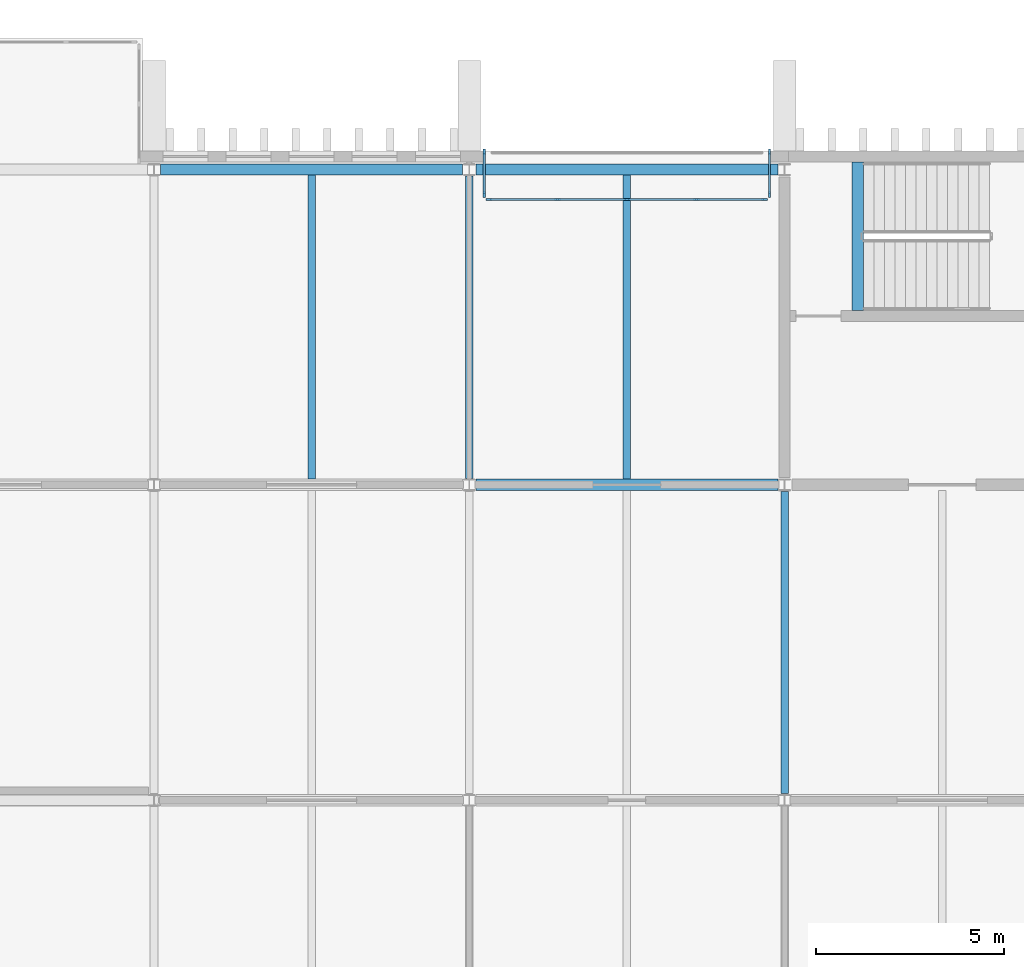
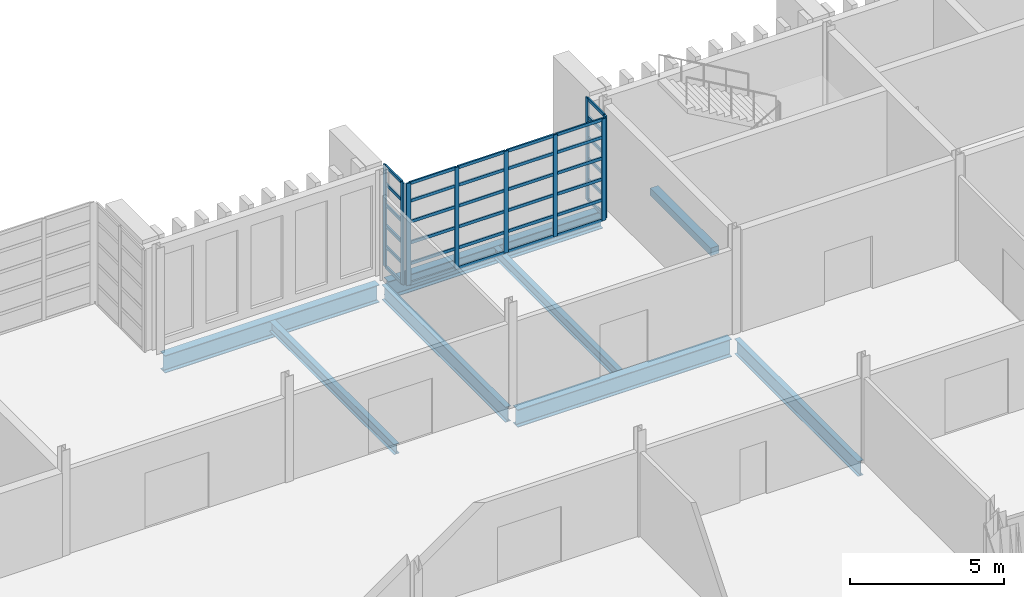
# One storey, part 25 of 100: 45 members, 8 beams, 3 elements without a shape of their own.
"""IFC4 building model written with IfcOpenShell, lengths in metres."""

from ifc_helpers import new_model, si_unit, direction, frame, origin, origin_2d, place, context, subcontext, project, spatial, rectangle, i_section, extrude, material, layer, layer_set, material_profile, profile_set, type_object, element, aggregate, save


model = new_model("IFC4")

# Units and contexts
model_context = context("Model", 3, precision=1e-05, world=origin(), true_north=direction((0.0, 1.0)))
body_context = subcontext(model_context, "Body", "Model", "MODEL_VIEW")
ifc_project = project(units=[si_unit("LENGTHUNIT", "METRE"), si_unit("AREAUNIT", "SQUARE_METRE"), si_unit("VOLUMEUNIT", "CUBIC_METRE"), si_unit("PLANEANGLEUNIT", "RADIAN"), si_unit("MASSUNIT", "GRAM", prefix="KILO")], contexts=[model_context])

# Site, building, storey
site_placement = place(None, origin())
site = spatial("IfcSite", under=ifc_project, at=site_placement, CompositionType="ELEMENT")
building_placement = place(site_placement, origin())
building = spatial("IfcBuilding", under=site, at=building_placement, Name="Cresset Court Congress Hotel", CompositionType="ELEMENT")
storey_placement = place(building_placement, frame((0.0, 0.0, 10.199951171875)))
storey = spatial("IfcBuildingStorey", under=building, at=storey_placement, Name="L02", CompositionType="ELEMENT", Elevation=10.199951171875)

# Curtain wall, members
ifc_material_1 = material(Name="Aluminium frame with double glazing", Category="aluminium")
ifc_layer = layer(ifc_material_1, 0.199951171875)
ifc_layer_set = layer_set([ifc_layer], Name="Glazed box curtain wall 1680 module")
curtain_wall_type = type_object("IfcCurtainWallType", Name="Glazed box curtain wall 1680 module", PredefinedType="NOTDEFINED", material=ifc_layer_set)
curtain_wall_1_placement = place(storey_placement, origin())
curtain_wall_1 = element("IfcCurtainWall", 1, at=curtain_wall_1_placement, inside=storey, type_object=curtain_wall_type, Name="Glazed box N0230 front", PredefinedType="NOTDEFINED")
ifc_material_2 = material(Name="Aluminium", Category="aluminium")
ifc_material_profile_1 = material_profile(ifc_material_2, rectangle(XDim=0.06005859375, YDim=0.159912109375, at=origin_2d()), Name="Box mullion 60x160")
ifc_profile_set_1 = profile_set([ifc_material_profile_1], Name="Aluminium")
member_type_1 = type_object("IfcMemberType", Name="Box mullion 60x160", PredefinedType="MULLION", material=ifc_profile_set_1)
member_1_placement = place(storey_placement, frame((92.929931640625, 24.39990234375, 0.0), z_axis=(0.0, 0.0, 1.0), x_axis=(0.0, 1.0, 0.0)))
member_1 = element("IfcMember", 2, at=member_1_placement, type_object=member_type_1, Name="B-X1 mullion 1", PredefinedType="MULLION", context=body_context, shape_type="SweptSolid", body=[
    extrude(rectangle(XDim=0.06005859375, YDim=0.159912109375, at=origin_2d()), origin(), (0.0, 0.0, 1.0), 4.050048828125),
])
member_2_placement = place(storey_placement, frame((94.75, 24.39990234375, 0.0), z_axis=(0.0, 0.0, 1.0), x_axis=(0.0, 1.0, 0.0)))
member_2 = element("IfcMember", 3, at=member_2_placement, type_object=member_type_1, Name="B-X1 mullion 2", PredefinedType="MULLION", context=body_context, shape_type="SweptSolid", body=[
    extrude(rectangle(XDim=0.06005859375, YDim=0.159912109375, at=origin_2d()), origin(), (0.0, 0.0, 1.0), 4.050048828125),
])
member_3_placement = place(storey_placement, frame((96.60009765625, 24.39990234375, 0.0), z_axis=(0.0, 0.0, 1.0), x_axis=(0.0, 1.0, 0.0)))
member_3 = element("IfcMember", 4, at=member_3_placement, type_object=member_type_1, Name="B-X1 mullion 3", PredefinedType="MULLION", context=body_context, shape_type="SweptSolid", body=[
    extrude(rectangle(XDim=0.06005859375, YDim=0.159912109375, at=origin_2d()), origin(), (0.0, 0.0, 1.0), 4.050048828125),
])
member_4_placement = place(storey_placement, frame((98.449951171875, 24.39990234375, 0.0), z_axis=(0.0, 0.0, 1.0), x_axis=(0.0, 1.0, 0.0)))
member_4 = element("IfcMember", 5, at=member_4_placement, type_object=member_type_1, Name="B-X1 mullion 4", PredefinedType="MULLION", context=body_context, shape_type="SweptSolid", body=[
    extrude(rectangle(XDim=0.06005859375, YDim=0.159912109375, at=origin_2d()), origin(), (0.0, 0.0, 1.0), 4.050048828125),
])
member_5_placement = place(storey_placement, frame((100.27001953125, 24.39990234375, 0.0), z_axis=(0.0, 0.0, 1.0), x_axis=(0.0, 1.0, 0.0)))
member_5 = element("IfcMember", 6, at=member_5_placement, type_object=member_type_1, Name="B-X1 mullion 5", PredefinedType="MULLION", context=body_context, shape_type="SweptSolid", body=[
    extrude(rectangle(XDim=0.06005859375, YDim=0.159912109375, at=origin_2d()), origin(), (0.0, 0.0, 1.0), 4.050048828125),
])

curtain_wall_2_placement = place(storey_placement, origin())
curtain_wall_2 = element("IfcCurtainWall", 7, at=curtain_wall_2_placement, inside=storey, type_object=curtain_wall_type, Name="Glazed box N0230 side", PredefinedType="NOTDEFINED")
member_6_placement = place(storey_placement, frame((92.800048828125, 25.669921875, 0.0), z_axis=(0.0, 0.0, 1.0), x_axis=(1.0, 0.0, 0.0)))
member_6 = element("IfcMember", 8, at=member_6_placement, type_object=member_type_1, Name="B-X1 mullion 1", PredefinedType="MULLION", context=body_context, shape_type="SweptSolid", body=[
    extrude(rectangle(XDim=0.06005859375, YDim=0.159912109375, at=origin_2d()), origin(), (0.0, 0.0, 1.0), 4.050048828125),
])
member_7_placement = place(storey_placement, frame((92.800048828125, 24.530029296875, 0.0), z_axis=(0.0, 0.0, 1.0), x_axis=(1.0, 0.0, 0.0)))
member_7 = element("IfcMember", 9, at=member_7_placement, type_object=member_type_1, Name="B-X1 mullion 2", PredefinedType="MULLION", context=body_context, shape_type="SweptSolid", body=[
    extrude(rectangle(XDim=0.06005859375, YDim=0.159912109375, at=origin_2d()), origin(), (0.0, 0.0, 1.0), 4.050048828125),
])

curtain_wall_3_placement = place(storey_placement, origin())
curtain_wall_3 = element("IfcCurtainWall", 10, at=curtain_wall_3_placement, inside=storey, type_object=curtain_wall_type, Name="Glazed box N0230 side", PredefinedType="NOTDEFINED")
member_8_placement = place(storey_placement, frame((100.39990234375, 25.669921875, 0.0), z_axis=(0.0, 0.0, 1.0), x_axis=(1.0, 0.0, 0.0)))
member_8 = element("IfcMember", 11, at=member_8_placement, type_object=member_type_1, Name="B-X1 mullion 1", PredefinedType="MULLION", context=body_context, shape_type="SweptSolid", body=[
    extrude(rectangle(XDim=0.06005859375, YDim=0.159912109375, at=origin_2d()), origin(), (0.0, 0.0, 1.0), 4.050048828125),
])
member_9_placement = place(storey_placement, frame((100.39990234375, 24.530029296875, 0.0), z_axis=(0.0, 0.0, 1.0), x_axis=(1.0, 0.0, 0.0)))
member_9 = element("IfcMember", 12, at=member_9_placement, type_object=member_type_1, Name="B-X1 mullion 2", PredefinedType="MULLION", context=body_context, shape_type="SweptSolid", body=[
    extrude(rectangle(XDim=0.06005859375, YDim=0.159912109375, at=origin_2d()), origin(), (0.0, 0.0, 1.0), 4.050048828125),
])

# Member
ifc_material_3 = material(Name="Aluminium", Category="aluminium")
ifc_material_profile_2 = material_profile(ifc_material_3, rectangle(XDim=0.06005859375, YDim=0.1201171875, at=origin_2d()), Name="Box transom 60x120")
ifc_profile_set_2 = profile_set([ifc_material_profile_2], Name="Aluminium")
member_type_2 = type_object("IfcMemberType", Name="Box transom 60x120", PredefinedType="USERDEFINED", material=ifc_profile_set_2)
member_10_placement = place(storey_placement, frame((92.9599609375, 24.39990234375, 0.030029296875), z_axis=(1.0, 0.0, 0.0), x_axis=(0.0, 1.0, 0.0)))
member_10 = element("IfcMember", 13, at=member_10_placement, type_object=member_type_2, Name="B-X1 transom 1.1", ObjectType="TRANSOM", PredefinedType="USERDEFINED", context=body_context, shape_type="SweptSolid", body=[
    extrude(rectangle(XDim=0.06005859375, YDim=0.1201171875, at=origin_2d()), origin(), (0.0, 0.0, 1.0), 1.760009765625),
])

member_11_placement = place(storey_placement, frame((92.9599609375, 24.39990234375, 0.830078125), z_axis=(1.0, 0.0, 0.0), x_axis=(0.0, 1.0, 0.0)))
member_11 = element("IfcMember", 14, at=member_11_placement, type_object=member_type_2, Name="B-X1 transom 1.2", ObjectType="TRANSOM", PredefinedType="USERDEFINED", context=body_context, shape_type="SweptSolid", body=[
    extrude(rectangle(XDim=0.06005859375, YDim=0.1201171875, at=origin_2d()), origin(), (0.0, 0.0, 1.0), 1.760009765625),
])

member_12_placement = place(storey_placement, frame((92.9599609375, 24.39990234375, 1.66015625), z_axis=(1.0, 0.0, 0.0), x_axis=(0.0, 1.0, 0.0)))
member_12 = element("IfcMember", 15, at=member_12_placement, type_object=member_type_2, Name="B-X1 transom 1.3", ObjectType="TRANSOM", PredefinedType="USERDEFINED", context=body_context, shape_type="SweptSolid", body=[
    extrude(rectangle(XDim=0.06005859375, YDim=0.1201171875, at=origin_2d()), origin(), (0.0, 0.0, 1.0), 1.760009765625),
])

member_13_placement = place(storey_placement, frame((92.9599609375, 24.39990234375, 2.489990234375), z_axis=(1.0, 0.0, 0.0), x_axis=(0.0, 1.0, 0.0)))
member_13 = element("IfcMember", 16, at=member_13_placement, type_object=member_type_2, Name="B-X1 transom 1.4", ObjectType="TRANSOM", PredefinedType="USERDEFINED", context=body_context, shape_type="SweptSolid", body=[
    extrude(rectangle(XDim=0.06005859375, YDim=0.1201171875, at=origin_2d()), origin(), (0.0, 0.0, 1.0), 1.760009765625),
])

member_14_placement = place(storey_placement, frame((92.9599609375, 24.39990234375, 3.320068359375), z_axis=(1.0, 0.0, 0.0), x_axis=(0.0, 1.0, 0.0)))
member_14 = element("IfcMember", 17, at=member_14_placement, type_object=member_type_2, Name="B-X1 transom 1.5", ObjectType="TRANSOM", PredefinedType="USERDEFINED", context=body_context, shape_type="SweptSolid", body=[
    extrude(rectangle(XDim=0.06005859375, YDim=0.1201171875, at=origin_2d()), origin(), (0.0, 0.0, 1.0), 1.760009765625),
])

member_15_placement = place(storey_placement, frame((92.9599609375, 24.39990234375, 4.02001953125), z_axis=(1.0, 0.0, 0.0), x_axis=(0.0, 1.0, 0.0)))
member_15 = element("IfcMember", 18, at=member_15_placement, type_object=member_type_2, Name="B-X1 transom 1.6", ObjectType="TRANSOM", PredefinedType="USERDEFINED", context=body_context, shape_type="SweptSolid", body=[
    extrude(rectangle(XDim=0.06005859375, YDim=0.1201171875, at=origin_2d()), origin(), (0.0, 0.0, 1.0), 1.760009765625),
])

member_16_placement = place(storey_placement, frame((94.780029296875, 24.39990234375, 0.030029296875), z_axis=(1.0, 0.0, 0.0), x_axis=(0.0, 1.0, 0.0)))
member_16 = element("IfcMember", 19, at=member_16_placement, type_object=member_type_2, Name="B-X1 transom 2.1", ObjectType="TRANSOM", PredefinedType="USERDEFINED", context=body_context, shape_type="SweptSolid", body=[
    extrude(rectangle(XDim=0.06005859375, YDim=0.1201171875, at=origin_2d()), origin(), (0.0, 0.0, 1.0), 1.7900390625),
])

member_17_placement = place(storey_placement, frame((94.780029296875, 24.39990234375, 0.830078125), z_axis=(1.0, 0.0, 0.0), x_axis=(0.0, 1.0, 0.0)))
member_17 = element("IfcMember", 20, at=member_17_placement, type_object=member_type_2, Name="B-X1 transom 2.2", ObjectType="TRANSOM", PredefinedType="USERDEFINED", context=body_context, shape_type="SweptSolid", body=[
    extrude(rectangle(XDim=0.06005859375, YDim=0.1201171875, at=origin_2d()), origin(), (0.0, 0.0, 1.0), 1.7900390625),
])

member_18_placement = place(storey_placement, frame((94.780029296875, 24.39990234375, 1.66015625), z_axis=(1.0, 0.0, 0.0), x_axis=(0.0, 1.0, 0.0)))
member_18 = element("IfcMember", 21, at=member_18_placement, type_object=member_type_2, Name="B-X1 transom 2.3", ObjectType="TRANSOM", PredefinedType="USERDEFINED", context=body_context, shape_type="SweptSolid", body=[
    extrude(rectangle(XDim=0.06005859375, YDim=0.1201171875, at=origin_2d()), origin(), (0.0, 0.0, 1.0), 1.7900390625),
])

member_19_placement = place(storey_placement, frame((94.780029296875, 24.39990234375, 2.489990234375), z_axis=(1.0, 0.0, 0.0), x_axis=(0.0, 1.0, 0.0)))
member_19 = element("IfcMember", 22, at=member_19_placement, type_object=member_type_2, Name="B-X1 transom 2.4", ObjectType="TRANSOM", PredefinedType="USERDEFINED", context=body_context, shape_type="SweptSolid", body=[
    extrude(rectangle(XDim=0.06005859375, YDim=0.1201171875, at=origin_2d()), origin(), (0.0, 0.0, 1.0), 1.7900390625),
])

member_20_placement = place(storey_placement, frame((94.780029296875, 24.39990234375, 3.320068359375), z_axis=(1.0, 0.0, 0.0), x_axis=(0.0, 1.0, 0.0)))
member_20 = element("IfcMember", 23, at=member_20_placement, type_object=member_type_2, Name="B-X1 transom 2.5", ObjectType="TRANSOM", PredefinedType="USERDEFINED", context=body_context, shape_type="SweptSolid", body=[
    extrude(rectangle(XDim=0.06005859375, YDim=0.1201171875, at=origin_2d()), origin(), (0.0, 0.0, 1.0), 1.7900390625),
])

member_21_placement = place(storey_placement, frame((94.780029296875, 24.39990234375, 4.02001953125), z_axis=(1.0, 0.0, 0.0), x_axis=(0.0, 1.0, 0.0)))
member_21 = element("IfcMember", 24, at=member_21_placement, type_object=member_type_2, Name="B-X1 transom 2.6", ObjectType="TRANSOM", PredefinedType="USERDEFINED", context=body_context, shape_type="SweptSolid", body=[
    extrude(rectangle(XDim=0.06005859375, YDim=0.1201171875, at=origin_2d()), origin(), (0.0, 0.0, 1.0), 1.7900390625),
])

member_22_placement = place(storey_placement, frame((96.6298828125, 24.39990234375, 0.030029296875), z_axis=(1.0, 0.0, 0.0), x_axis=(0.0, 1.0, 0.0)))
member_22 = element("IfcMember", 25, at=member_22_placement, type_object=member_type_2, Name="B-X1 transom 3.1", ObjectType="TRANSOM", PredefinedType="USERDEFINED", context=body_context, shape_type="SweptSolid", body=[
    extrude(rectangle(XDim=0.06005859375, YDim=0.1201171875, at=origin_2d()), origin(), (0.0, 0.0, 1.0), 1.7900390625),
])

member_23_placement = place(storey_placement, frame((96.6298828125, 24.39990234375, 0.830078125), z_axis=(1.0, 0.0, 0.0), x_axis=(0.0, 1.0, 0.0)))
member_23 = element("IfcMember", 26, at=member_23_placement, type_object=member_type_2, Name="B-X1 transom 3.2", ObjectType="TRANSOM", PredefinedType="USERDEFINED", context=body_context, shape_type="SweptSolid", body=[
    extrude(rectangle(XDim=0.06005859375, YDim=0.1201171875, at=origin_2d()), origin(), (0.0, 0.0, 1.0), 1.7900390625),
])

member_24_placement = place(storey_placement, frame((96.6298828125, 24.39990234375, 1.66015625), z_axis=(1.0, 0.0, 0.0), x_axis=(0.0, 1.0, 0.0)))
member_24 = element("IfcMember", 27, at=member_24_placement, type_object=member_type_2, Name="B-X1 transom 3.3", ObjectType="TRANSOM", PredefinedType="USERDEFINED", context=body_context, shape_type="SweptSolid", body=[
    extrude(rectangle(XDim=0.06005859375, YDim=0.1201171875, at=origin_2d()), origin(), (0.0, 0.0, 1.0), 1.7900390625),
])

member_25_placement = place(storey_placement, frame((96.6298828125, 24.39990234375, 2.489990234375), z_axis=(1.0, 0.0, 0.0), x_axis=(0.0, 1.0, 0.0)))
member_25 = element("IfcMember", 28, at=member_25_placement, type_object=member_type_2, Name="B-X1 transom 3.4", ObjectType="TRANSOM", PredefinedType="USERDEFINED", context=body_context, shape_type="SweptSolid", body=[
    extrude(rectangle(XDim=0.06005859375, YDim=0.1201171875, at=origin_2d()), origin(), (0.0, 0.0, 1.0), 1.7900390625),
])

member_26_placement = place(storey_placement, frame((96.6298828125, 24.39990234375, 3.320068359375), z_axis=(1.0, 0.0, 0.0), x_axis=(0.0, 1.0, 0.0)))
member_26 = element("IfcMember", 29, at=member_26_placement, type_object=member_type_2, Name="B-X1 transom 3.5", ObjectType="TRANSOM", PredefinedType="USERDEFINED", context=body_context, shape_type="SweptSolid", body=[
    extrude(rectangle(XDim=0.06005859375, YDim=0.1201171875, at=origin_2d()), origin(), (0.0, 0.0, 1.0), 1.7900390625),
])

member_27_placement = place(storey_placement, frame((96.6298828125, 24.39990234375, 4.02001953125), z_axis=(1.0, 0.0, 0.0), x_axis=(0.0, 1.0, 0.0)))
member_27 = element("IfcMember", 30, at=member_27_placement, type_object=member_type_2, Name="B-X1 transom 3.6", ObjectType="TRANSOM", PredefinedType="USERDEFINED", context=body_context, shape_type="SweptSolid", body=[
    extrude(rectangle(XDim=0.06005859375, YDim=0.1201171875, at=origin_2d()), origin(), (0.0, 0.0, 1.0), 1.7900390625),
])

member_28_placement = place(storey_placement, frame((98.47998046875, 24.39990234375, 0.030029296875), z_axis=(1.0, 0.0, 0.0), x_axis=(0.0, 1.0, 0.0)))
member_28 = element("IfcMember", 31, at=member_28_placement, type_object=member_type_2, Name="B-X1 transom 4.1", ObjectType="TRANSOM", PredefinedType="USERDEFINED", context=body_context, shape_type="SweptSolid", body=[
    extrude(rectangle(XDim=0.06005859375, YDim=0.1201171875, at=origin_2d()), origin(), (0.0, 0.0, 1.0), 1.760009765625),
])

member_29_placement = place(storey_placement, frame((98.47998046875, 24.39990234375, 0.830078125), z_axis=(1.0, 0.0, 0.0), x_axis=(0.0, 1.0, 0.0)))
member_29 = element("IfcMember", 32, at=member_29_placement, type_object=member_type_2, Name="B-X1 transom 4.2", ObjectType="TRANSOM", PredefinedType="USERDEFINED", context=body_context, shape_type="SweptSolid", body=[
    extrude(rectangle(XDim=0.06005859375, YDim=0.1201171875, at=origin_2d()), origin(), (0.0, 0.0, 1.0), 1.760009765625),
])

member_30_placement = place(storey_placement, frame((98.47998046875, 24.39990234375, 1.66015625), z_axis=(1.0, 0.0, 0.0), x_axis=(0.0, 1.0, 0.0)))
member_30 = element("IfcMember", 33, at=member_30_placement, type_object=member_type_2, Name="B-X1 transom 4.3", ObjectType="TRANSOM", PredefinedType="USERDEFINED", context=body_context, shape_type="SweptSolid", body=[
    extrude(rectangle(XDim=0.06005859375, YDim=0.1201171875, at=origin_2d()), origin(), (0.0, 0.0, 1.0), 1.760009765625),
])

member_31_placement = place(storey_placement, frame((98.47998046875, 24.39990234375, 2.489990234375), z_axis=(1.0, 0.0, 0.0), x_axis=(0.0, 1.0, 0.0)))
member_31 = element("IfcMember", 34, at=member_31_placement, type_object=member_type_2, Name="B-X1 transom 4.4", ObjectType="TRANSOM", PredefinedType="USERDEFINED", context=body_context, shape_type="SweptSolid", body=[
    extrude(rectangle(XDim=0.06005859375, YDim=0.1201171875, at=origin_2d()), origin(), (0.0, 0.0, 1.0), 1.760009765625),
])

member_32_placement = place(storey_placement, frame((98.47998046875, 24.39990234375, 3.320068359375), z_axis=(1.0, 0.0, 0.0), x_axis=(0.0, 1.0, 0.0)))
member_32 = element("IfcMember", 35, at=member_32_placement, type_object=member_type_2, Name="B-X1 transom 4.5", ObjectType="TRANSOM", PredefinedType="USERDEFINED", context=body_context, shape_type="SweptSolid", body=[
    extrude(rectangle(XDim=0.06005859375, YDim=0.1201171875, at=origin_2d()), origin(), (0.0, 0.0, 1.0), 1.760009765625),
])

member_33_placement = place(storey_placement, frame((98.47998046875, 24.39990234375, 4.02001953125), z_axis=(1.0, 0.0, 0.0), x_axis=(0.0, 1.0, 0.0)))
member_33 = element("IfcMember", 36, at=member_33_placement, type_object=member_type_2, Name="B-X1 transom 4.6", ObjectType="TRANSOM", PredefinedType="USERDEFINED", context=body_context, shape_type="SweptSolid", body=[
    extrude(rectangle(XDim=0.06005859375, YDim=0.1201171875, at=origin_2d()), origin(), (0.0, 0.0, 1.0), 1.760009765625),
])

aggregate(curtain_wall_1, [member_1, member_2, member_3, member_4, member_5, member_10, member_11, member_12, member_13, member_14, member_15, member_16, member_17, member_18, member_19, member_20, member_21, member_22, member_23, member_24, member_25, member_26, member_27, member_28, member_29, member_30, member_31, member_32, member_33])

member_34_placement = place(storey_placement, frame((92.800048828125, 25.639892578125, 0.030029296875), z_axis=(0.0, -1.0, 0.0), x_axis=(1.0, 0.0, 0.0)))
member_34 = element("IfcMember", 37, at=member_34_placement, type_object=member_type_2, Name="B-X1 transom 1.1", ObjectType="TRANSOM", PredefinedType="USERDEFINED", context=body_context, shape_type="SweptSolid", body=[
    extrude(rectangle(XDim=0.06005859375, YDim=0.1201171875, at=origin_2d()), origin(), (0.0, 0.0, 1.0), 1.079833984375),
])

member_35_placement = place(storey_placement, frame((92.800048828125, 25.639892578125, 0.830078125), z_axis=(0.0, -1.0, 0.0), x_axis=(1.0, 0.0, 0.0)))
member_35 = element("IfcMember", 38, at=member_35_placement, type_object=member_type_2, Name="B-X1 transom 1.2", ObjectType="TRANSOM", PredefinedType="USERDEFINED", context=body_context, shape_type="SweptSolid", body=[
    extrude(rectangle(XDim=0.06005859375, YDim=0.1201171875, at=origin_2d()), origin(), (0.0, 0.0, 1.0), 1.079833984375),
])

member_36_placement = place(storey_placement, frame((92.800048828125, 25.639892578125, 1.66015625), z_axis=(0.0, -1.0, 0.0), x_axis=(1.0, 0.0, 0.0)))
member_36 = element("IfcMember", 39, at=member_36_placement, type_object=member_type_2, Name="B-X1 transom 1.3", ObjectType="TRANSOM", PredefinedType="USERDEFINED", context=body_context, shape_type="SweptSolid", body=[
    extrude(rectangle(XDim=0.06005859375, YDim=0.1201171875, at=origin_2d()), origin(), (0.0, 0.0, 1.0), 1.079833984375),
])

member_37_placement = place(storey_placement, frame((92.800048828125, 25.639892578125, 2.489990234375), z_axis=(0.0, -1.0, 0.0), x_axis=(1.0, 0.0, 0.0)))
member_37 = element("IfcMember", 40, at=member_37_placement, type_object=member_type_2, Name="B-X1 transom 1.4", ObjectType="TRANSOM", PredefinedType="USERDEFINED", context=body_context, shape_type="SweptSolid", body=[
    extrude(rectangle(XDim=0.06005859375, YDim=0.1201171875, at=origin_2d()), origin(), (0.0, 0.0, 1.0), 1.079833984375),
])

member_38_placement = place(storey_placement, frame((92.800048828125, 25.639892578125, 3.320068359375), z_axis=(0.0, -1.0, 0.0), x_axis=(1.0, 0.0, 0.0)))
member_38 = element("IfcMember", 41, at=member_38_placement, type_object=member_type_2, Name="B-X1 transom 1.5", ObjectType="TRANSOM", PredefinedType="USERDEFINED", context=body_context, shape_type="SweptSolid", body=[
    extrude(rectangle(XDim=0.06005859375, YDim=0.1201171875, at=origin_2d()), origin(), (0.0, 0.0, 1.0), 1.079833984375),
])

member_39_placement = place(storey_placement, frame((92.800048828125, 25.639892578125, 4.02001953125), z_axis=(0.0, -1.0, 0.0), x_axis=(1.0, 0.0, 0.0)))
member_39 = element("IfcMember", 42, at=member_39_placement, type_object=member_type_2, Name="B-X1 transom 1.6", ObjectType="TRANSOM", PredefinedType="USERDEFINED", context=body_context, shape_type="SweptSolid", body=[
    extrude(rectangle(XDim=0.06005859375, YDim=0.1201171875, at=origin_2d()), origin(), (0.0, 0.0, 1.0), 1.079833984375),
])

aggregate(curtain_wall_2, [member_6, member_7, member_34, member_35, member_36, member_37, member_38, member_39])

member_40_placement = place(storey_placement, frame((100.39990234375, 25.639892578125, 0.030029296875), z_axis=(0.0, -1.0, 0.0), x_axis=(1.0, 0.0, 0.0)))
member_40 = element("IfcMember", 43, at=member_40_placement, type_object=member_type_2, Name="B-X1 transom 1.1", ObjectType="TRANSOM", PredefinedType="USERDEFINED", context=body_context, shape_type="SweptSolid", body=[
    extrude(rectangle(XDim=0.06005859375, YDim=0.1201171875, at=origin_2d()), origin(), (0.0, 0.0, 1.0), 1.079833984375),
])

member_41_placement = place(storey_placement, frame((100.39990234375, 25.639892578125, 0.830078125), z_axis=(0.0, -1.0, 0.0), x_axis=(1.0, 0.0, 0.0)))
member_41 = element("IfcMember", 44, at=member_41_placement, type_object=member_type_2, Name="B-X1 transom 1.2", ObjectType="TRANSOM", PredefinedType="USERDEFINED", context=body_context, shape_type="SweptSolid", body=[
    extrude(rectangle(XDim=0.06005859375, YDim=0.1201171875, at=origin_2d()), origin(), (0.0, 0.0, 1.0), 1.079833984375),
])

member_42_placement = place(storey_placement, frame((100.39990234375, 25.639892578125, 1.66015625), z_axis=(0.0, -1.0, 0.0), x_axis=(1.0, 0.0, 0.0)))
member_42 = element("IfcMember", 45, at=member_42_placement, type_object=member_type_2, Name="B-X1 transom 1.3", ObjectType="TRANSOM", PredefinedType="USERDEFINED", context=body_context, shape_type="SweptSolid", body=[
    extrude(rectangle(XDim=0.06005859375, YDim=0.1201171875, at=origin_2d()), origin(), (0.0, 0.0, 1.0), 1.079833984375),
])

member_43_placement = place(storey_placement, frame((100.39990234375, 25.639892578125, 2.489990234375), z_axis=(0.0, -1.0, 0.0), x_axis=(1.0, 0.0, 0.0)))
member_43 = element("IfcMember", 46, at=member_43_placement, type_object=member_type_2, Name="B-X1 transom 1.4", ObjectType="TRANSOM", PredefinedType="USERDEFINED", context=body_context, shape_type="SweptSolid", body=[
    extrude(rectangle(XDim=0.06005859375, YDim=0.1201171875, at=origin_2d()), origin(), (0.0, 0.0, 1.0), 1.079833984375),
])

member_44_placement = place(storey_placement, frame((100.39990234375, 25.639892578125, 3.320068359375), z_axis=(0.0, -1.0, 0.0), x_axis=(1.0, 0.0, 0.0)))
member_44 = element("IfcMember", 47, at=member_44_placement, type_object=member_type_2, Name="B-X1 transom 1.5", ObjectType="TRANSOM", PredefinedType="USERDEFINED", context=body_context, shape_type="SweptSolid", body=[
    extrude(rectangle(XDim=0.06005859375, YDim=0.1201171875, at=origin_2d()), origin(), (0.0, 0.0, 1.0), 1.079833984375),
])

member_45_placement = place(storey_placement, frame((100.39990234375, 25.639892578125, 4.02001953125), z_axis=(0.0, -1.0, 0.0), x_axis=(1.0, 0.0, 0.0)))
member_45 = element("IfcMember", 48, at=member_45_placement, type_object=member_type_2, Name="B-X1 transom 1.6", ObjectType="TRANSOM", PredefinedType="USERDEFINED", context=body_context, shape_type="SweptSolid", body=[
    extrude(rectangle(XDim=0.06005859375, YDim=0.1201171875, at=origin_2d()), origin(), (0.0, 0.0, 1.0), 1.079833984375),
])

aggregate(curtain_wall_3, [member_8, member_9, member_40, member_41, member_42, member_43, member_44, member_45])

# Beams
ifc_material_4 = material(Name="Concrete C40", Category="concrete")
ifc_material_profile_3 = material_profile(ifc_material_4, rectangle(XDim=0.300048828125, YDim=0.300048828125, at=origin_2d()), Name="RC300x300")
ifc_profile_set_3 = profile_set([ifc_material_profile_3], Name="Concrete C40")
beam_type_1 = type_object("IfcBeamType", Name="Stair trimmer beam RC300x300", PredefinedType="BEAM", material=ifc_profile_set_3)
beam_1_placement = place(storey_placement, frame((102.75, 21.449951171875, -0.300048828125), z_axis=(0.0, 1.0, 0.0), x_axis=(-1.0, 0.0, 0.0)))
element("IfcBeam", 49, at=beam_1_placement, inside=storey, type_object=beam_type_1, Name="Trimmer beam ST-B4 L02", PredefinedType="BEAM", context=body_context, shape_type="SweptSolid", body=[
    extrude(rectangle(XDim=0.300048828125, YDim=0.300048828125, at=origin_2d()), origin(), (0.0, 0.0, 1.0), 3.949951171875),
])
ifc_material_5 = material(Name="Structural steel Q355B", Category="steel")
ifc_material_profile_4 = material_profile(ifc_material_5, i_section(OverallWidth=0.199951171875, OverallDepth=0.60009765625, WebThickness=0.010986328125, FlangeThickness=0.01708984375, FilletRadius=0.012939453125, at=origin_2d()), Name="HN600x200x11x17")
ifc_profile_set_4 = profile_set([ifc_material_profile_4], Name="Structural steel Q355B")
beam_type_2 = type_object("IfcBeamType", Name="Steel beam HN600x200x11x17", PredefinedType="BEAM", material=ifc_profile_set_4)
beam_2_placement = place(storey_placement, frame((92.39990234375, 16.97509765625, -0.449951171875), z_axis=(0.0, 1.0, 0.0), x_axis=(-1.0, 0.0, 0.0)))
element("IfcBeam", 50, at=beam_2_placement, inside=storey, type_object=beam_type_2, Name="B.by.L02.12C", PredefinedType="BEAM", context=body_context, shape_type="SweptSolid", body=[
    extrude(i_section(OverallWidth=0.199951171875, OverallDepth=0.60009765625, WebThickness=0.010986328125, FlangeThickness=0.01708984375, FilletRadius=0.012939453125, at=origin_2d()), origin(), (0.0, 0.0, 1.0), 8.0498046875),
])
beam_3_placement = place(storey_placement, frame((100.800048828125, 8.574951171875, -0.449951171875), z_axis=(0.0, 1.0, 0.0), x_axis=(-1.0, 0.0, 0.0)))
element("IfcBeam", 51, at=beam_3_placement, inside=storey, type_object=beam_type_2, Name="B.by.L02.13B", PredefinedType="BEAM", context=body_context, shape_type="SweptSolid", body=[
    extrude(i_section(OverallWidth=0.199951171875, OverallDepth=0.60009765625, WebThickness=0.010986328125, FlangeThickness=0.01708984375, FilletRadius=0.012939453125, at=origin_2d()), origin(), (0.0, 0.0, 1.0), 8.050048828125),
])
ifc_material_6 = material(Name="Structural steel Q355B", Category="steel")
ifc_material_profile_5 = material_profile(ifc_material_6, i_section(OverallWidth=0.300048828125, OverallDepth=0.699951171875, WebThickness=0.012939453125, FlangeThickness=0.02392578125, FilletRadius=0.01806640625, at=origin_2d()), Name="HN700x300x13x24")
ifc_profile_set_5 = profile_set([ifc_material_profile_5], Name="Structural steel Q355B")
beam_type_3 = type_object("IfcBeamType", Name="Steel beam HN700x300x13x24", PredefinedType="BEAM", material=ifc_profile_set_5)
for number, where, z_axis, x_axis, name in (
    (52, (92.574951171875, 16.800048828125, -0.5), (1.0, 0.0, 0.0), (0.0, 1.0, 0.0), "B.bx.L02.C12"),
    (53, (84.175048828125, 25.199951171875, -0.5), (1.0, 0.0, 0.0), (0.0, 1.0, 0.0), "B.bx.L02.D11"),
    (54, (92.574951171875, 25.199951171875, -0.5), (1.0, 0.0, 0.0), (0.0, 1.0, 0.0), "B.bx.L02.D12"),
):
    element("IfcBeam", number, at=place(storey_placement, frame(where, z_axis=z_axis, x_axis=x_axis)), inside=storey, type_object=beam_type_3, Name=name, PredefinedType="BEAM", context=body_context, shape_type="SweptSolid", body=[
        extrude(i_section(OverallWidth=0.300048828125, OverallDepth=0.699951171875, WebThickness=0.012939453125, FlangeThickness=0.02392578125, FilletRadius=0.01806640625, at=origin_2d()), origin(), (0.0, 0.0, 1.0), 8.050048828125),
    ])
ifc_material_7 = material(Name="Structural steel Q355B", Category="steel")
ifc_material_profile_6 = material_profile(ifc_material_7, i_section(OverallWidth=0.199951171875, OverallDepth=0.39990234375, WebThickness=0.008056640625, FlangeThickness=0.012939453125, FilletRadius=0.01611328125, at=origin_2d()), Name="HN400x200x8x13")
ifc_profile_set_6 = profile_set([ifc_material_profile_6], Name="Structural steel Q355B")
beam_type_4 = type_object("IfcBeamType", Name="Steel joist HN400x200x8x13", PredefinedType="JOIST", material=ifc_profile_set_6)
for number, where, z_axis, x_axis, name in (
    (55, (88.199951171875, 16.949951171875, -0.349853515625), (0.0, 1.0, 0.0), (-1.0, 0.0, 0.0), "B.bj.L02.11C"),
    (56, (96.60009765625, 16.949951171875, -0.349853515625), (0.0, 1.0, 0.0), (-1.0, 0.0, 0.0), "B.bj.L02.12C"),
):
    element("IfcBeam", number, at=place(storey_placement, frame(where, z_axis=z_axis, x_axis=x_axis)), inside=storey, type_object=beam_type_4, Name=name, PredefinedType="JOIST", context=body_context, shape_type="SweptSolid", body=[
        extrude(i_section(OverallWidth=0.199951171875, OverallDepth=0.39990234375, WebThickness=0.008056640625, FlangeThickness=0.012939453125, FilletRadius=0.01611328125, at=origin_2d()), origin(), (0.0, 0.0, 1.0), 8.10009765625),
    ])

save(model, "model.ifc")
